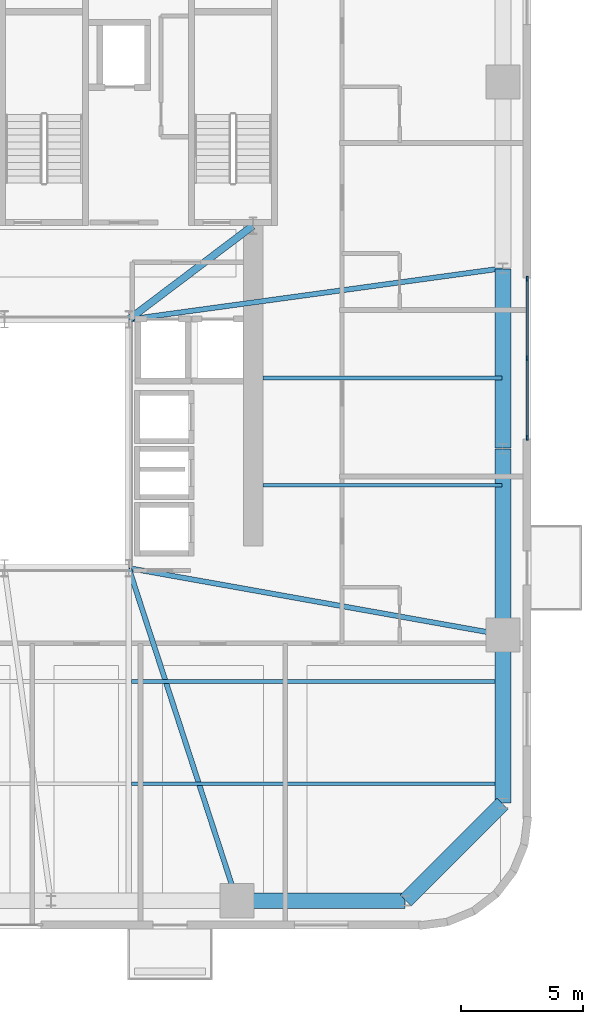
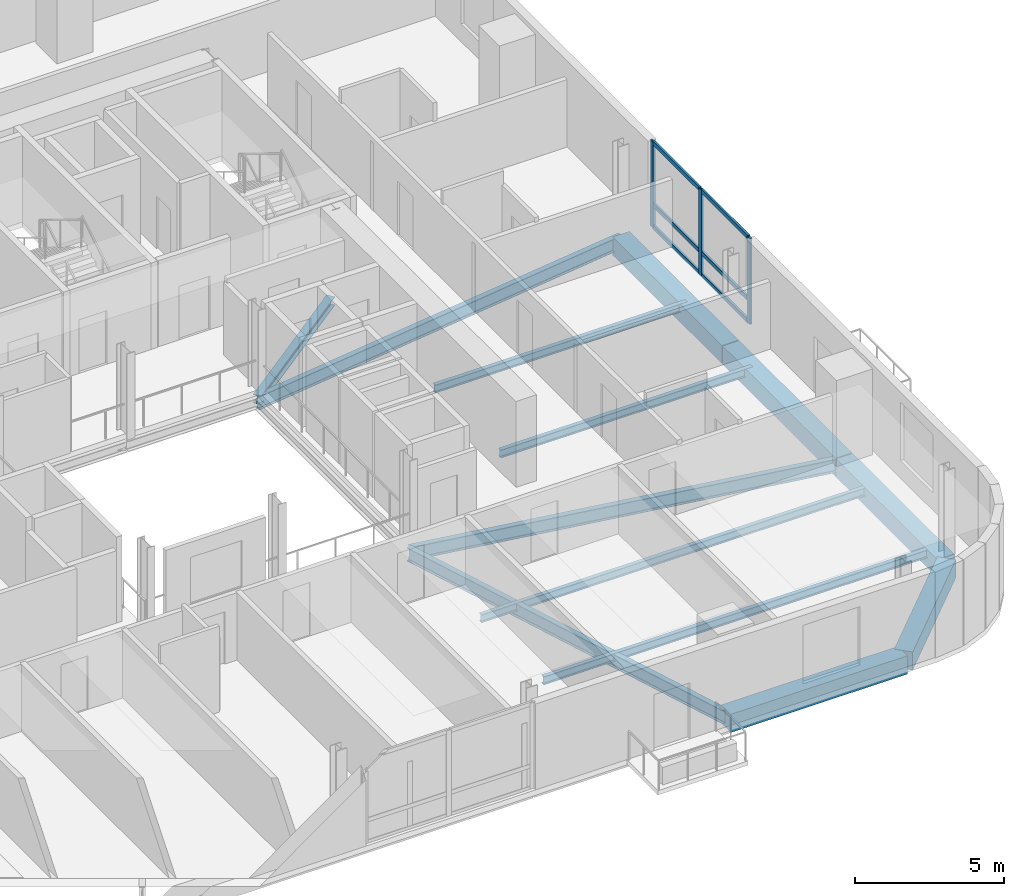
# One storey, part 4 of 12: 13 beams, 9 members, 1 element without a shape of its own.
"""IFC4 building model written with IfcOpenShell, lengths in metres."""

from ifc_helpers import new_model, si_unit, direction, frame, origin, origin_2d, place, context, subcontext, project, spatial, rectangle, i_section, extrude, source, transform, mapped, material, material_profile, profile_set, type_object, element, aggregate, save


model = new_model("IFC4")

# Units and contexts
model_context = context("Model", 3, precision=1e-05, world=origin(), true_north=direction((0.0, 1.0)))
body_context = subcontext(model_context, "Body", "Model", "MODEL_VIEW")
ifc_project = project(units=[si_unit("LENGTHUNIT", "METRE"), si_unit("AREAUNIT", "SQUARE_METRE"), si_unit("VOLUMEUNIT", "CUBIC_METRE"), si_unit("PLANEANGLEUNIT", "RADIAN"), si_unit("MASSUNIT", "GRAM", prefix="KILO")], contexts=[model_context])

# Site, building, storey
site_placement = place(None, origin())
site = spatial("IfcSite", under=ifc_project, at=site_placement, CompositionType="ELEMENT")
building_placement = place(site_placement, origin())
building = spatial("IfcBuilding", under=site, at=building_placement, Name="Vardaveli Station Tower", CompositionType="ELEMENT")
storey_placement = place(building_placement, frame((0.0, 0.0, 214.800048828125)))
storey = spatial("IfcBuildingStorey", under=building, at=storey_placement, Name="L55", CompositionType="ELEMENT", Elevation=214.800048828125)

# Beams
ifc_material_1 = material(Name="Structural steel S355J2", Category="steel")
ifc_material_profile_1 = material_profile(ifc_material_1, i_section(OverallWidth=0.300048828125, OverallDepth=0.360107421875, WebThickness=0.012451171875, FlangeThickness=0.0224609375, FilletRadius=0.027099609375, at=origin_2d()), Name="HEB 360")
ifc_profile_set_1 = profile_set([ifc_material_profile_1], Name="Structural steel S355J2")
beam_type_1 = type_object("IfcBeamType", Name="BM-HEB360", PredefinedType="BEAM", material=ifc_profile_set_1)
shared_shape_1 = source(origin(), body_context, "Body", "SweptSolid", [
    extrude(i_section(OverallWidth=0.300048828125, OverallDepth=0.360107421875, WebThickness=0.012451171875, FlangeThickness=0.0224609375, FilletRadius=0.027099609375, at=origin_2d()), origin(), (0.0, 0.0, 1.0), 6.35009765625),
])
beam_1_placement = place(storey_placement, frame((41.416015625, 26.81201171875, -0.400146484375), z_axis=(0.798118337722, 0.602500721154, 0.0), x_axis=(-0.602500721154, 0.798118337722, 0.0)))
element("IfcBeam", 1, at=beam_1_placement, inside=storey, type_object=beam_type_1, Name="CBM-L55-02", PredefinedType="BEAM", context=body_context, shape_type="MappedRepresentation", body=[
    mapped(shared_shape_1, transform((0.0, 0.0, 0.0), scale=1.0)),
])
ifc_material_2 = material(Name="Precast concrete C45/55", Category="concrete")
ifc_material_profile_2 = material_profile(ifc_material_2, rectangle(XDim=0.64990234375, YDim=0.75, at=origin_2d()), Name="LPB 650x750")
ifc_profile_set_2 = profile_set([ifc_material_profile_2], Name="Precast concrete C45/55")
beam_type_2 = type_object("IfcBeamType", Name="BM-LPB-750", PredefinedType="BEAM", material=ifc_profile_set_2)
shared_shape_2 = source(origin(), body_context, "Body", "SweptSolid", [
    extrude(rectangle(XDim=0.64990234375, YDim=0.75, at=origin_2d()), origin(), (0.0, 0.0, 1.0), 7.60009765625),
])
beam_2_placement = place(storey_placement, frame((56.75, 13.8798828125, -0.594970703125), z_axis=(0.0, 1.0, 0.0), x_axis=(-1.0, 0.0, 0.0)))
element("IfcBeam", 2, at=beam_2_placement, inside=storey, type_object=beam_type_2, Name="RBM-L55-07", PredefinedType="BEAM", context=body_context, shape_type="MappedRepresentation", body=[
    mapped(shared_shape_2, transform((0.0, 0.0, 0.0), scale=1.0)),
])
shared_shape_3 = source(origin(), body_context, "Body", "SweptSolid", [
    extrude(rectangle(XDim=0.64990234375, YDim=0.75, at=origin_2d()), origin(), (0.0, 0.0, 1.0), 7.35986328125),
])
beam_3_placement = place(storey_placement, frame((56.75, 21.52001953125, -0.594970703125), z_axis=(0.0, 1.0, 0.0), x_axis=(-1.0, 0.0, 0.0)))
element("IfcBeam", 3, at=beam_3_placement, inside=storey, type_object=beam_type_2, Name="RBM-L55-08", PredefinedType="BEAM", context=body_context, shape_type="MappedRepresentation", body=[
    mapped(shared_shape_3, transform((0.0, 0.0, 0.0), scale=1.0)),
])
shared_shape_4 = source(origin(), body_context, "Body", "SweptSolid", [
    extrude(rectangle(XDim=0.64990234375, YDim=0.75, at=origin_2d()), origin(), (0.0, 0.0, 1.0), 6.869873046875),
])
beam_4_placement = place(storey_placement, frame((45.860107421875, 2.949951171875, -0.594970703125), z_axis=(1.0, 0.0, 0.0), x_axis=(0.0, 1.0, 0.0)))
element("IfcBeam", 4, at=beam_4_placement, inside=storey, type_object=beam_type_2, Name="RBM-L55-04", PredefinedType="BEAM", context=body_context, shape_type="MappedRepresentation", body=[
    mapped(shared_shape_4, transform((0.0, 0.0, 0.0), scale=1.0)),
])
shared_shape_5 = source(origin(), body_context, "Body", "SweptSolid", [
    extrude(rectangle(XDim=0.64990234375, YDim=0.75, at=origin_2d()), origin(), (0.0, 0.0, 1.0), 5.61669921875),
])
beam_5_placement = place(storey_placement, frame((52.76416015625, 2.964111328125, -0.594970703125), z_axis=(0.707106781187, 0.707106781187, 0.0), x_axis=(-0.707106781187, 0.707106781187, 0.0)))
element("IfcBeam", 5, at=beam_5_placement, inside=storey, type_object=beam_type_2, Name="RBM-L55-05", PredefinedType="BEAM", context=body_context, shape_type="MappedRepresentation", body=[
    mapped(shared_shape_5, transform((0.0, 0.0, 0.0), scale=1.0)),
])
shared_shape_6 = source(origin(), body_context, "Body", "SweptSolid", [
    extrude(rectangle(XDim=0.64990234375, YDim=0.75, at=origin_2d()), origin(), (0.0, 0.0, 1.0), 6.8701171875),
])
beam_6_placement = place(storey_placement, frame((56.75, 6.969970703125, -0.594970703125), z_axis=(0.0, 1.0, 0.0), x_axis=(-1.0, 0.0, 0.0)))
element("IfcBeam", 6, at=beam_6_placement, inside=storey, type_object=beam_type_2, Name="RBM-L55-06", PredefinedType="BEAM", context=body_context, shape_type="MappedRepresentation", body=[
    mapped(shared_shape_6, transform((0.0, 0.0, 0.0), scale=1.0)),
])
ifc_material_profile_3 = material_profile(ifc_material_1, i_section(OverallWidth=0.159912109375, OverallDepth=0.330078125, WebThickness=0.007568359375, FlangeThickness=0.011474609375, FilletRadius=0.01806640625, at=origin_2d()), Name="IPE 330")
ifc_profile_set_3 = profile_set([ifc_material_profile_3], Name="Structural steel S355J2")
beam_type_3 = type_object("IfcBeamType", Name="BM-IPE330", PredefinedType="JOIST", material=ifc_profile_set_3)
shared_shape_7 = source(origin(), body_context, "Body", "SweptSolid", [
    extrude(i_section(OverallWidth=0.159912109375, OverallDepth=0.330078125, WebThickness=0.007568359375, FlangeThickness=0.011474609375, FilletRadius=0.01806640625, at=origin_2d()), origin(), (0.0, 0.0, 1.0), 15.197998046875),
])
for number, where, z_axis, x_axis, name in (
    (7, (41.511962890625, 7.75, -0.385009765625), (1.0, 0.0, 0.0), (0.0, 1.0, 0.0), "SJ-L55-S02"),
    (8, (41.511962890625, 11.949951171875, -0.385009765625), (1.0, 0.0, 0.0), (0.0, 1.0, 0.0), "SJ-L55-S04"),
):
    element("IfcBeam", number, at=place(storey_placement, frame(where, z_axis=z_axis, x_axis=x_axis)), inside=storey, type_object=beam_type_3, Name=name, PredefinedType="JOIST", context=body_context, shape_type="MappedRepresentation", body=[
        mapped(shared_shape_7, transform((0.0, 0.0, 0.0), scale=1.0)),
    ])
shared_shape_8 = source(origin(), body_context, "Body", "SweptSolid", [
    extrude(i_section(OverallWidth=0.159912109375, OverallDepth=0.330078125, WebThickness=0.007568359375, FlangeThickness=0.011474609375, FilletRadius=0.01806640625, at=origin_2d()), origin(), (0.0, 0.0, 1.0), 9.804931640625),
])
for number, where, z_axis, x_axis, name in (
    (9, (46.905029296875, 20.0, -0.385009765625), (1.0, 0.0, 0.0), (0.0, 1.0, 0.0), "SJ-L55-E07"),
    (10, (46.905029296875, 24.39990234375, -0.385009765625), (1.0, 0.0, 0.0), (0.0, 1.0, 0.0), "SJ-L55-E08"),
):
    element("IfcBeam", number, at=place(storey_placement, frame(where, z_axis=z_axis, x_axis=x_axis)), inside=storey, type_object=beam_type_3, Name=name, PredefinedType="JOIST", context=body_context, shape_type="MappedRepresentation", body=[
        mapped(shared_shape_8, transform((0.0, 0.0, 0.0), scale=1.0)),
    ])
ifc_material_profile_4 = material_profile(ifc_material_1, i_section(OverallWidth=0.2099609375, OverallDepth=0.550048828125, WebThickness=0.010986328125, FlangeThickness=0.01708984375, FilletRadius=0.02392578125, at=origin_2d()), Name="IPE 550")
ifc_profile_set_4 = profile_set([ifc_material_profile_4], Name="Structural steel S355J2")
beam_type_4 = type_object("IfcBeamType", Name="BM-IPE550", PredefinedType="BEAM", material=ifc_profile_set_4)
shared_shape_9 = source(origin(), body_context, "Body", "SweptSolid", [
    extrude(i_section(OverallWidth=0.2099609375, OverallDepth=0.550048828125, WebThickness=0.010986328125, FlangeThickness=0.01708984375, FilletRadius=0.02392578125, at=origin_2d()), origin(), (0.0, 0.0, 1.0), 14.31396484375),
])
beam_7_placement = place(storey_placement, frame((45.833740234375, 2.968994140625, -0.4951171875), z_axis=(-0.309311678023, 0.950960717295, 0.0), x_axis=(-0.950960717295, -0.309311678023, 0.0)))
element("IfcBeam", 11, at=beam_7_placement, inside=storey, type_object=beam_type_4, Name="GBM-L55-04", PredefinedType="BEAM", context=body_context, shape_type="MappedRepresentation", body=[
    mapped(shared_shape_9, transform((0.0, 0.0, 0.0), scale=1.0)),
])
shared_shape_10 = source(origin(), body_context, "Body", "SweptSolid", [
    extrude(i_section(OverallWidth=0.2099609375, OverallDepth=0.550048828125, WebThickness=0.010986328125, FlangeThickness=0.01708984375, FilletRadius=0.02392578125, at=origin_2d()), origin(), (0.0, 0.0, 1.0), 15.552490234375),
])
beam_8_placement = place(storey_placement, frame((56.730224609375, 13.863525390625, -0.4951171875), z_axis=(-0.984439991578, 0.1757210943, 0.0), x_axis=(-0.1757210943, -0.984439991578, 0.0)))
element("IfcBeam", 12, at=beam_8_placement, inside=storey, type_object=beam_type_4, Name="GBM-L55-05", PredefinedType="BEAM", context=body_context, shape_type="MappedRepresentation", body=[
    mapped(shared_shape_10, transform((0.0, 0.0, 0.0), scale=1.0)),
])
shared_shape_11 = source(origin(), body_context, "Body", "SweptSolid", [
    extrude(i_section(OverallWidth=0.2099609375, OverallDepth=0.550048828125, WebThickness=0.010986328125, FlangeThickness=0.01708984375, FilletRadius=0.02392578125, at=origin_2d()), origin(), (0.0, 0.0, 1.0), 15.452880859375),
])
beam_9_placement = place(storey_placement, frame((56.730224609375, 28.897216796875, -0.4951171875), z_axis=(-0.99077191151, -0.135539733521, 0.0), x_axis=(0.135539733521, -0.99077191151, 0.0)))
element("IfcBeam", 13, at=beam_9_placement, inside=storey, type_object=beam_type_4, Name="GBM-L55-07", PredefinedType="BEAM", context=body_context, shape_type="MappedRepresentation", body=[
    mapped(shared_shape_11, transform((0.0, 0.0, 0.0), scale=1.0)),
])

# Curtain wall, members
ifc_material_3 = material(Name="Travertine stone and solar-control glass", Category="masonry")
curtain_wall_type = type_object("IfcCurtainWallType", Name="CW-SYS-5", PredefinedType="NOTDEFINED", material=ifc_material_3)
curtain_wall_placement = place(storey_placement, origin())
curtain_wall = element("IfcCurtainWall", 14, at=curtain_wall_placement, inside=storey, type_object=curtain_wall_type, Name="CW-L55-E", PredefinedType="NOTDEFINED")
ifc_material_4 = material(Name="Anodised aluminium alloy 6063-T6", Category="aluminium")
ifc_material_profile_5 = material_profile(ifc_material_4, rectangle(XDim=0.080078125, YDim=0.1650390625, at=origin_2d()), Name="CWT 80x165")
ifc_profile_set_5 = profile_set([ifc_material_profile_5], Name="Anodised aluminium alloy 6063-T6")
member_type_1 = type_object("IfcMemberType", Name="CW-SYS-5-TRAN", PredefinedType="NOTDEFINED", material=ifc_profile_set_5)
shared_shape_12 = source(origin(), body_context, "Body", "SweptSolid", [
    extrude(rectangle(XDim=0.080078125, YDim=0.1650390625, at=origin_2d()), origin(), (0.0, 0.0, 1.0), 3.179931640625),
])
member_1_placement = place(storey_placement, frame((57.739990234375, 21.97998046875, 0.0400390625), z_axis=(0.0, 1.0, 0.0), x_axis=(-1.0, 0.0, 0.0)))
member_1 = element("IfcMember", 15, at=member_1_placement, type_object=member_type_1, Name="CW-5 transom 1.1", ObjectType="TRANSOM", PredefinedType="USERDEFINED", context=body_context, shape_type="MappedRepresentation", body=[
    mapped(shared_shape_12, transform((0.0, 0.0, 0.0), scale=1.0)),
])
member_2_placement = place(storey_placement, frame((57.739990234375, 21.97998046875, 0.949951171875), z_axis=(0.0, 1.0, 0.0), x_axis=(-1.0, 0.0, 0.0)))
member_2 = element("IfcMember", 16, at=member_2_placement, type_object=member_type_1, Name="CW-5 transom 1.2", ObjectType="TRANSOM", PredefinedType="USERDEFINED", context=body_context, shape_type="MappedRepresentation", body=[
    mapped(shared_shape_12, transform((0.0, 0.0, 0.0), scale=1.0)),
])
member_3_placement = place(storey_placement, frame((57.739990234375, 21.97998046875, 3.489990234375), z_axis=(0.0, 1.0, 0.0), x_axis=(-1.0, 0.0, 0.0)))
member_3 = element("IfcMember", 17, at=member_3_placement, type_object=member_type_1, Name="CW-5 transom 1.3", ObjectType="TRANSOM", PredefinedType="USERDEFINED", context=body_context, shape_type="MappedRepresentation", body=[
    mapped(shared_shape_12, transform((0.0, 0.0, 0.0), scale=1.0)),
])
member_4_placement = place(storey_placement, frame((57.739990234375, 25.239990234375, 0.0400390625), z_axis=(0.0, 1.0, 0.0), x_axis=(-1.0, 0.0, 0.0)))
member_4 = element("IfcMember", 18, at=member_4_placement, type_object=member_type_1, Name="CW-5 transom 2.1", ObjectType="TRANSOM", PredefinedType="USERDEFINED", context=body_context, shape_type="MappedRepresentation", body=[
    mapped(shared_shape_12, transform((0.0, 0.0, 0.0), scale=1.0)),
])
member_5_placement = place(storey_placement, frame((57.739990234375, 25.239990234375, 0.949951171875), z_axis=(0.0, 1.0, 0.0), x_axis=(-1.0, 0.0, 0.0)))
member_5 = element("IfcMember", 19, at=member_5_placement, type_object=member_type_1, Name="CW-5 transom 2.2", ObjectType="TRANSOM", PredefinedType="USERDEFINED", context=body_context, shape_type="MappedRepresentation", body=[
    mapped(shared_shape_12, transform((0.0, 0.0, 0.0), scale=1.0)),
])
member_6_placement = place(storey_placement, frame((57.739990234375, 25.239990234375, 3.489990234375), z_axis=(0.0, 1.0, 0.0), x_axis=(-1.0, 0.0, 0.0)))
member_6 = element("IfcMember", 20, at=member_6_placement, type_object=member_type_1, Name="CW-5 transom 2.3", ObjectType="TRANSOM", PredefinedType="USERDEFINED", context=body_context, shape_type="MappedRepresentation", body=[
    mapped(shared_shape_12, transform((0.0, 0.0, 0.0), scale=1.0)),
])
ifc_material_profile_6 = material_profile(ifc_material_4, rectangle(XDim=0.080078125, YDim=0.205078125, at=origin_2d()), Name="CWM 80x205")
ifc_profile_set_6 = profile_set([ifc_material_profile_6], Name="Anodised aluminium alloy 6063-T6")
member_type_2 = type_object("IfcMemberType", Name="CW-SYS-5-MULL", PredefinedType="MULLION", material=ifc_profile_set_6)
shared_shape_13 = source(origin(), body_context, "Body", "SweptSolid", [
    extrude(rectangle(XDim=0.080078125, YDim=0.205078125, at=origin_2d()), origin(), (0.0, 0.0, 1.0), 3.530029296875),
])
member_7_placement = place(storey_placement, frame((57.739990234375, 21.93994140625, 0.0), z_axis=(0.0, 0.0, 1.0), x_axis=(-1.0, 0.0, 0.0)))
member_7 = element("IfcMember", 21, at=member_7_placement, type_object=member_type_2, Name="CW-5 mullion 1", PredefinedType="MULLION", context=body_context, shape_type="MappedRepresentation", body=[
    mapped(shared_shape_13, transform((0.0, 0.0, 0.0), scale=1.0)),
])
member_8_placement = place(storey_placement, frame((57.739990234375, 25.199951171875, 0.0), z_axis=(0.0, 0.0, 1.0), x_axis=(-1.0, 0.0, 0.0)))
member_8 = element("IfcMember", 22, at=member_8_placement, type_object=member_type_2, Name="CW-5 mullion 2", PredefinedType="MULLION", context=body_context, shape_type="MappedRepresentation", body=[
    mapped(shared_shape_13, transform((0.0, 0.0, 0.0), scale=1.0)),
])
member_9_placement = place(storey_placement, frame((57.739990234375, 28.4599609375, 0.0), z_axis=(0.0, 0.0, 1.0), x_axis=(-1.0, 0.0, 0.0)))
member_9 = element("IfcMember", 23, at=member_9_placement, type_object=member_type_2, Name="CW-5 mullion 3", PredefinedType="MULLION", context=body_context, shape_type="MappedRepresentation", body=[
    mapped(shared_shape_13, transform((0.0, 0.0, 0.0), scale=1.0)),
])
aggregate(curtain_wall, [member_7, member_8, member_9, member_1, member_2, member_3, member_4, member_5, member_6])

save(model, "model.ifc")
